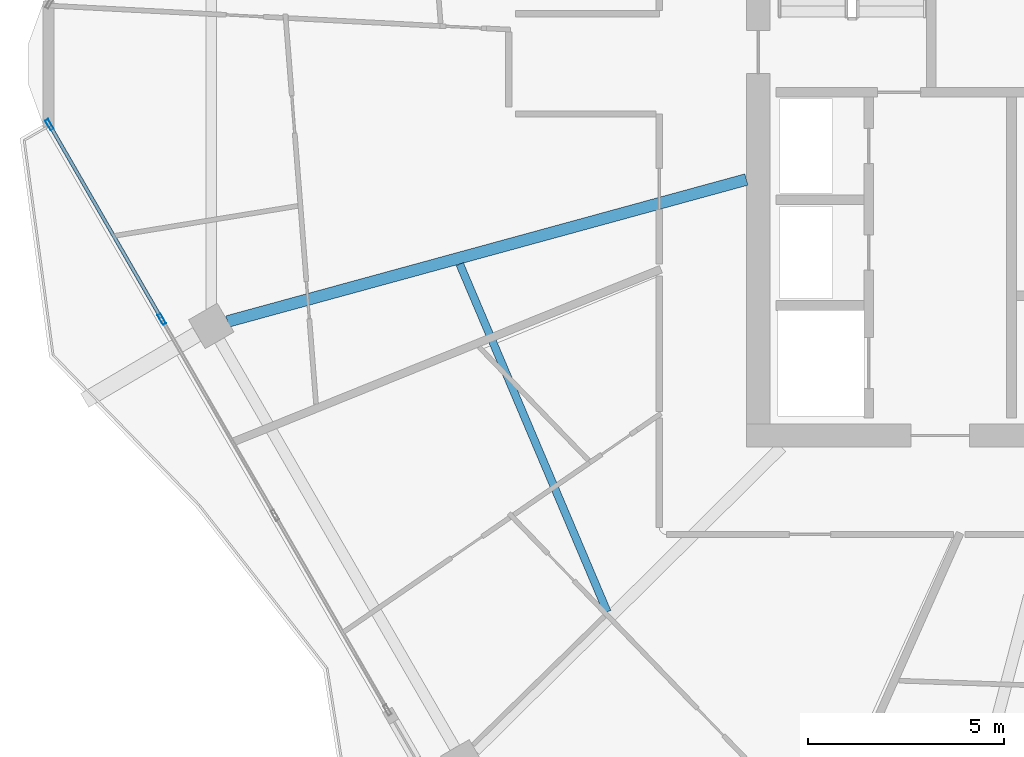
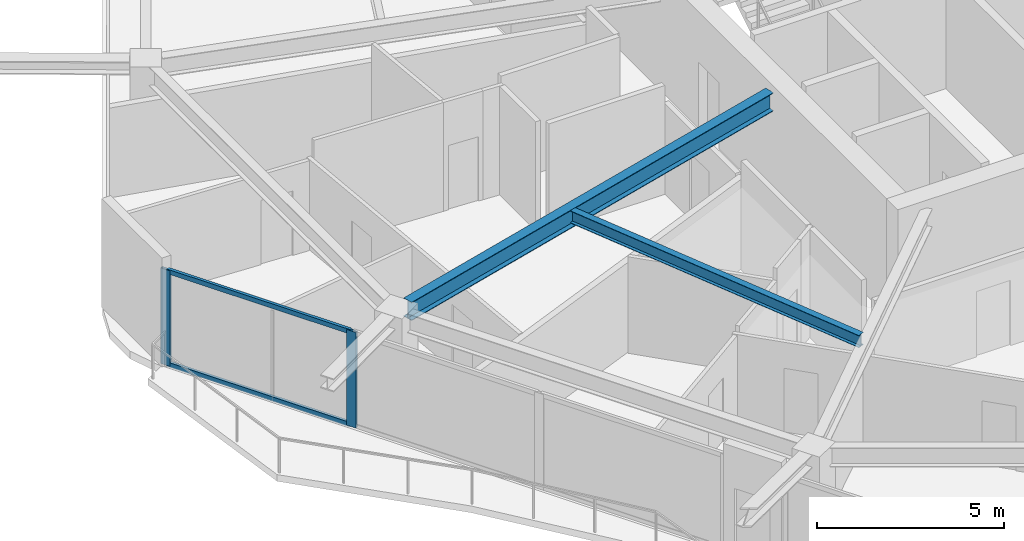
# One storey, part 5 of 26: 4 members, 2 beams, 1 element without a shape of its own.
"""IFC4 building model written with IfcOpenShell, lengths in metres."""

import ifcopenshell
import ifcopenshell.guid

model = None  # the IFC model being written
_history = None  # IfcOwnerHistory: only IFC2X3 demands one
_inside = {}  # id of a spatial element -> (the spatial element, [elements in it])
_under = {}  # id of a project, library or spatial element -> (it, [spatial elements below it])
_declared = {}  # id of a project -> (the project, [libraries it declares])
_typed = {}  # id of a type object -> (the type object, [elements of that type])
_made_of = {}  # id of a material, layer set ... -> (it, [elements and type objects made of it])


def new_model(schema):
    """Start an empty IFC model of exactly this schema.

    Asked for "IFC4X3", IfcOpenShell would pick the latest addendum, in which some entities
    have other attributes; the version numbers below select the first issue.
    IFC2X3 requires an IfcOwnerHistory on every rooted entity: one is made here for all.
    """
    global model, _history
    if schema == "IFC4X3":
        model = ifcopenshell.file(schema_version=(4, 3, 0, 0))
    else:
        model = ifcopenshell.file(schema=schema)
    _inside.clear()
    _under.clear()
    _declared.clear()
    _typed.clear()
    _made_of.clear()
    _history = None
    if model.schema == "IFC2X3":
        org = make("IfcOrganization", Name="unknown")
        user = make(
            "IfcPersonAndOrganization",
            ThePerson=make("IfcPerson", FamilyName="unknown"),
            TheOrganization=org,
        )
        app = make(
            "IfcApplication",
            ApplicationDeveloper=org,
            Version="unknown",
            ApplicationFullName="unknown",
            ApplicationIdentifier="unknown",
        )
        _history = make(
            "IfcOwnerHistory",
            OwningUser=user,
            OwningApplication=app,
            ChangeAction="ADDED",
            CreationDate=0,
        )
    return model


def make(cls, **values):
    """One entity of the class cls with the attributes given. An attribute that is None is left unset."""
    return model.create_entity(
        cls, **{name: value for name, value in values.items() if value is not None}
    )


def rooted(cls, **values):
    """An entity with a GlobalId (a new one), such as an element, a storey or a relation."""
    return make(cls, GlobalId=ifcopenshell.guid.new(), OwnerHistory=_history, **values)


def si_unit(unit_type, name, prefix=None):
    """IfcSIUnit, for example si_unit("LENGTHUNIT", "METRE", prefix="MILLI")."""
    return make("IfcSIUnit", UnitType=unit_type, Prefix=prefix, Name=name)


def assignment(units):
    """IfcUnitAssignment: the units of a project."""
    return None if units is None else make("IfcUnitAssignment", Units=units)


def point(xyz):
    """IfcCartesianPoint."""
    return None if xyz is None else make("IfcCartesianPoint", Coordinates=xyz)


def direction(xyz):
    """IfcDirection."""
    return None if xyz is None else make("IfcDirection", DirectionRatios=xyz)


def frame(location, z_axis=None, x_axis=None):
    """IfcAxis2Placement3D, a coordinate frame: its origin and axes. An axis left out is left unset."""
    return make(
        "IfcAxis2Placement3D",
        Location=point(location),
        Axis=direction(z_axis),
        RefDirection=direction(x_axis),
    )


def frame_2d(location, x_axis=None):
    """IfcAxis2Placement2D, a coordinate frame in the plane: its origin and x axis."""
    return make(
        "IfcAxis2Placement2D", Location=point(location), RefDirection=direction(x_axis)
    )


def origin():
    """The frame at (0, 0, 0) with its axes left unset."""
    return frame((0.0, 0.0, 0.0))


def origin_2d():
    """The frame at (0, 0) in the plane with its x axis left unset."""
    return frame_2d((0.0, 0.0))


def place(relative_to, where):
    """IfcLocalPlacement: puts the frame where relative to a parent placement (None: the world)."""
    return make(
        "IfcLocalPlacement", PlacementRelTo=relative_to, RelativePlacement=where
    )


def context(
    kind, dimensions, precision=None, world=None, true_north=None, identifier=None
):
    """IfcGeometricRepresentationContext, for example the 3D "Model" context."""
    return make(
        "IfcGeometricRepresentationContext",
        ContextIdentifier=identifier,
        ContextType=kind,
        CoordinateSpaceDimension=dimensions,
        Precision=precision,
        WorldCoordinateSystem=world,
        TrueNorth=true_north,
    )


def subcontext(parent, identifier, kind, view, scale=None):
    """IfcGeometricRepresentationSubContext, for example "Body" below "Model"."""
    return make(
        "IfcGeometricRepresentationSubContext",
        ContextIdentifier=identifier,
        ContextType=kind,
        ParentContext=parent,
        TargetScale=scale,
        TargetView=view,
    )


def project(units=None, contexts=None):
    """IfcProject with its units and contexts."""
    return rooted(
        "IfcProject",
        Name="project",
        RepresentationContexts=contexts,
        UnitsInContext=assignment(units),
    )


def spatial(cls, under=None, at=None, **own):
    """A site, building, storey or space (cls), placed at a placement, below another one or the project."""
    s = rooted(cls, ObjectPlacement=at, **own)
    if under is not None:
        _under.setdefault(under.id(), (under, []))[1].append(s)
    return s


def profile(cls, at=None, kind="AREA", **sizes):
    """A parametric profile (cls). Its sizes go by their IFC names, for example OverallWidth=200.0."""
    return make(cls, ProfileType=kind, Position=at, **sizes)


def hollow_rectangle(**sizes):
    """IfcRectangleHollowProfileDef."""
    return profile("IfcRectangleHollowProfileDef", **sizes)


def i_section(**sizes):
    """IfcIShapeProfileDef."""
    return profile("IfcIShapeProfileDef", **sizes)


def extrude(swept, where, along, depth):
    """IfcExtrudedAreaSolid: the profile swept, set in the frame where, extruded along a direction by depth."""
    return make(
        "IfcExtrudedAreaSolid",
        SweptArea=swept,
        Position=where,
        ExtrudedDirection=direction(along),
        Depth=depth,
    )


def shape(context_of_items, identifier, shape_type, items):
    """IfcShapeRepresentation: the items that make up one representation, for example the "Body"."""
    return make(
        "IfcShapeRepresentation",
        ContextOfItems=context_of_items,
        RepresentationIdentifier=identifier,
        RepresentationType=shape_type,
        Items=items,
    )


def material(Name=None, Category=None):
    """IfcMaterial."""
    return make("IfcMaterial", Name=Name, Category=Category)


def material_profile(
    of_material, cross_section, Name=None, Category=None, Priority=None
):
    """IfcMaterialProfile: a cross section and its material."""
    return make(
        "IfcMaterialProfile",
        Name=Name,
        Material=of_material,
        Profile=cross_section,
        Priority=Priority,
        Category=Category,
    )


def profile_set(profiles, Name=None, composite=None):
    """IfcMaterialProfileSet."""
    return make(
        "IfcMaterialProfileSet",
        Name=Name,
        MaterialProfiles=profiles,
        CompositeProfile=composite,
    )


def made_of(thing, what):
    """Note that an element or type object is made of a material, layer set ...; save() writes the relation."""
    if what is not None:
        _made_of.setdefault(what.id(), (what, []))[1].append(thing)
    return thing


def type_object(cls, material=None, **own):
    """A type object (cls), such as IfcWallType, which elements share."""
    return made_of(rooted(cls, **own), material)


def element(
    cls,
    number,
    at=None,
    inside=None,
    cuts=None,
    type_object=None,
    material=None,
    context=None,
    identifier="Body",
    shape_type=None,
    held_by="IfcProductDefinitionShape",
    body=None,
    shapes=None,
    **own,
):
    """One element of the class cls, such as IfcWall. Its Tag is "e" and its number.

    at: its placement. inside: the storey or other place that contains it. cuts: it is an
    opening in that element (IfcRelVoidsElement). A single representation is given by context,
    identifier, shape_type and body (its items); several are given by shapes. held_by: the class
    of the entity that holds the representations. save() writes the other relations.
    """
    e = rooted(cls, Tag="e%d" % number, ObjectPlacement=at, **own)
    if body is not None:
        shapes = [shape(context, identifier, shape_type, body)]
    if shapes is not None:
        e.Representation = make(held_by, Representations=shapes)
    if inside is not None:
        _inside.setdefault(inside.id(), (inside, []))[1].append(e)
    if cuts is not None:
        rooted(
            "IfcRelVoidsElement", RelatingBuildingElement=cuts, RelatedOpeningElement=e
        )
    if type_object is not None:
        _typed.setdefault(type_object.id(), (type_object, []))[1].append(e)
    return made_of(e, material)


def aggregate(whole, parts):
    """IfcRelAggregates: a whole, such as a stair, and the parts it consists of."""
    return rooted("IfcRelAggregates", RelatingObject=whole, RelatedObjects=parts)


def save(model, path):
    """Write the relations noted so far, then the file.

    IfcRelAggregates (storeys below a building ...), IfcRelContainedInSpatialStructure (elements
    in a storey), IfcRelDefinesByType, IfcRelAssociatesMaterial and IfcRelDeclares: one each for
    every whole, place, type object, material and project.
    """
    for whole, parts in _under.values():
        aggregate(whole, parts)
    for where, things in _inside.values():
        rooted(
            "IfcRelContainedInSpatialStructure",
            RelatedElements=things,
            RelatingStructure=where,
        )
    for kind, things in _typed.values():
        rooted("IfcRelDefinesByType", RelatedObjects=things, RelatingType=kind)
    for what, things in _made_of.values():
        rooted("IfcRelAssociatesMaterial", RelatedObjects=things, RelatingMaterial=what)
    for by, libraries in _declared.values():
        rooted("IfcRelDeclares", RelatingContext=by, RelatedDefinitions=libraries)
    model.write(path)


model = new_model("IFC4")

# Units and contexts
model_context = context("Model", 3, precision=1e-05, world=origin(), true_north=direction((0.0, 1.0)))
body_context = subcontext(model_context, "Body", "Model", "MODEL_VIEW")
ifc_project = project(units=[si_unit("LENGTHUNIT", "METRE"), si_unit("AREAUNIT", "SQUARE_METRE"), si_unit("VOLUMEUNIT", "CUBIC_METRE"), si_unit("PLANEANGLEUNIT", "RADIAN"), si_unit("MASSUNIT", "GRAM", prefix="KILO")], contexts=[model_context])

# Site, building, storey
site_placement = place(None, origin())
site = spatial("IfcSite", under=ifc_project, at=site_placement, CompositionType="ELEMENT")
building_placement = place(site_placement, origin())
building = spatial("IfcBuilding", under=site, at=building_placement, Name="Zuhravey Tower", CompositionType="ELEMENT")
storey_placement = place(building_placement, frame((0.0, 0.0, 295.800048828125)))
storey = spatial("IfcBuildingStorey", under=building, at=storey_placement, Name="L75", CompositionType="ELEMENT", Elevation=295.800048828125)

# Curtain wall, members
ifc_material_1 = material(Name="Thermally broken anodised aluminium", Category="aluminium")
curtain_wall_type = type_object("IfcCurtainWallType", Name="Zone 3-4 High-Rise Curtain Wall CW4", PredefinedType="NOTDEFINED", material=ifc_material_1)
curtain_wall_placement = place(storey_placement, origin())
curtain_wall = element("IfcCurtainWall", 1, at=curtain_wall_placement, inside=storey, type_object=curtain_wall_type, Name="L75 CW4 CW-L75-F4-2", PredefinedType="NOTDEFINED")
ifc_material_2 = material(Name="Anodised aluminium", Category="aluminium")
ifc_material_profile_1 = material_profile(ifc_material_2, hollow_rectangle(XDim=0.090087890625, YDim=0.284912109375, WallThickness=0.0048828125, at=origin_2d()), Name="ALU-RHS-90x285x5")
ifc_profile_set_1 = profile_set([ifc_material_profile_1], Name="Anodised aluminium")
member_type_1 = type_object("IfcMemberType", Name="Curtain-Wall Mullion 90x180", PredefinedType="MULLION", material=ifc_profile_set_1)
member_1_placement = place(storey_placement, frame((10.250244140625, 25.472900390625, 0.0), z_axis=(0.0, 0.0, 1.0), x_axis=(-0.866025782294, -0.499999344402, 0.0)))
member_1 = element("IfcMember", 2, at=member_1_placement, type_object=member_type_1, Name="CW4 mullion 3", PredefinedType="MULLION", context=body_context, shape_type="SweptSolid", body=[
    extrude(hollow_rectangle(XDim=0.090087890625, YDim=0.284912109375, WallThickness=0.0048828125, at=origin_2d()), origin(), (0.0, 0.0, 1.0), 3.1220703125),
])
member_2_placement = place(storey_placement, frame((7.37744140625, 30.448486328125, 0.0), z_axis=(0.0, 0.0, 1.0), x_axis=(-0.866025782294, -0.499999344402, 0.0)))
member_2 = element("IfcMember", 3, at=member_2_placement, type_object=member_type_1, Name="CW4 mullion 4", PredefinedType="MULLION", context=body_context, shape_type="SweptSolid", body=[
    extrude(hollow_rectangle(XDim=0.090087890625, YDim=0.284912109375, WallThickness=0.0048828125, at=origin_2d()), origin(), (0.0, 0.0, 1.0), 3.1220703125),
])
ifc_material_profile_2 = material_profile(ifc_material_2, hollow_rectangle(XDim=0.090087890625, YDim=0.14990234375, WallThickness=0.0048828125, at=origin_2d()), Name="ALU-RHS-90x150x5")
ifc_profile_set_2 = profile_set([ifc_material_profile_2], Name="Anodised aluminium")
member_type_2 = type_object("IfcMemberType", Name="Curtain-Wall Transom 90x150", PredefinedType="USERDEFINED", material=ifc_profile_set_2)
member_3_placement = place(storey_placement, frame((10.2275390625, 25.51171875, 0.044921875), z_axis=(-0.499974063228, 0.866040377869, 0.0), x_axis=(-0.866040377869, -0.499974063228, 0.0)))
member_3 = element("IfcMember", 4, at=member_3_placement, type_object=member_type_2, Name="CW4 transom 3.1", ObjectType="TRANSOM", PredefinedType="USERDEFINED", context=body_context, shape_type="SweptSolid", body=[
    extrude(hollow_rectangle(XDim=0.090087890625, YDim=0.14990234375, WallThickness=0.0048828125, at=origin_2d()), origin(), (0.0, 0.0, 1.0), 5.655517578125),
])
member_4_placement = place(storey_placement, frame((10.2275390625, 25.51171875, 3.076904296875), z_axis=(-0.499974063228, 0.866040377869, 0.0), x_axis=(-0.866040377869, -0.499974063228, 0.0)))
member_4 = element("IfcMember", 5, at=member_4_placement, type_object=member_type_2, Name="CW4 transom 3.2", ObjectType="TRANSOM", PredefinedType="USERDEFINED", context=body_context, shape_type="SweptSolid", body=[
    extrude(hollow_rectangle(XDim=0.090087890625, YDim=0.14990234375, WallThickness=0.0048828125, at=origin_2d()), origin(), (0.0, 0.0, 1.0), 5.655517578125),
])
aggregate(curtain_wall, [member_1, member_2, member_3, member_4])

# Beams
ifc_material_3 = material(Name="Steel SM355", Category="steel")
ifc_material_profile_3 = material_profile(ifc_material_3, i_section(OverallWidth=0.300048828125, OverallDepth=0.60009765625, WebThickness=0.011962890625, FlangeThickness=0.02001953125, at=origin_2d()), Name="H-600x300x12x20")
ifc_profile_set_3 = profile_set([ifc_material_profile_3], Name="Steel SM355")
beam_type_1 = type_object("IfcBeamType", Name="Radial Primary Girder H600x300", PredefinedType="BEAM", material=ifc_profile_set_3)
beam_1_placement = place(storey_placement, frame((25.197021484375, 29.04443359375, 3.25), z_axis=(-0.964549305009, -0.263902705947, 0.0), x_axis=(0.263902705947, -0.964549305009, 0.0)))
element("IfcBeam", 6, at=beam_1_placement, inside=storey, type_object=beam_type_1, Name="L75 RG3 BM-L75-RAD-07", PredefinedType="BEAM", context=body_context, shape_type="SweptSolid", body=[
    extrude(i_section(OverallWidth=0.300048828125, OverallDepth=0.60009765625, WebThickness=0.011962890625, FlangeThickness=0.02001953125, at=origin_2d()), origin(), (0.0, 0.0, 1.0), 13.756591796875),
])
ifc_material_profile_4 = material_profile(ifc_material_3, i_section(OverallWidth=0.199951171875, OverallDepth=0.39990234375, WebThickness=0.008056640625, FlangeThickness=0.012939453125, at=origin_2d()), Name="H-400x200x8x13")
ifc_profile_set_4 = profile_set([ifc_material_profile_4], Name="Steel SM355")
beam_type_2 = type_object("IfcBeamType", Name="Secondary Floor Joist H400x200", PredefinedType="JOIST", material=ifc_profile_set_4)
beam_2_placement = place(storey_placement, frame((17.869140625, 26.881103515625, 3.349853515625), z_axis=(0.390413493754, -0.920639616731, 0.0), x_axis=(0.920639616731, 0.390413493754, 0.0)))
element("IfcBeam", 7, at=beam_2_placement, inside=storey, type_object=beam_type_2, Name="L75 SJ2 BM-L75-SJ-07-1", PredefinedType="JOIST", context=body_context, shape_type="SweptSolid", body=[
    extrude(i_section(OverallWidth=0.199951171875, OverallDepth=0.39990234375, WebThickness=0.008056640625, FlangeThickness=0.012939453125, at=origin_2d()), origin(), (0.0, 0.0, 1.0), 9.656494140625),
])

save(model, "model.ifc")
